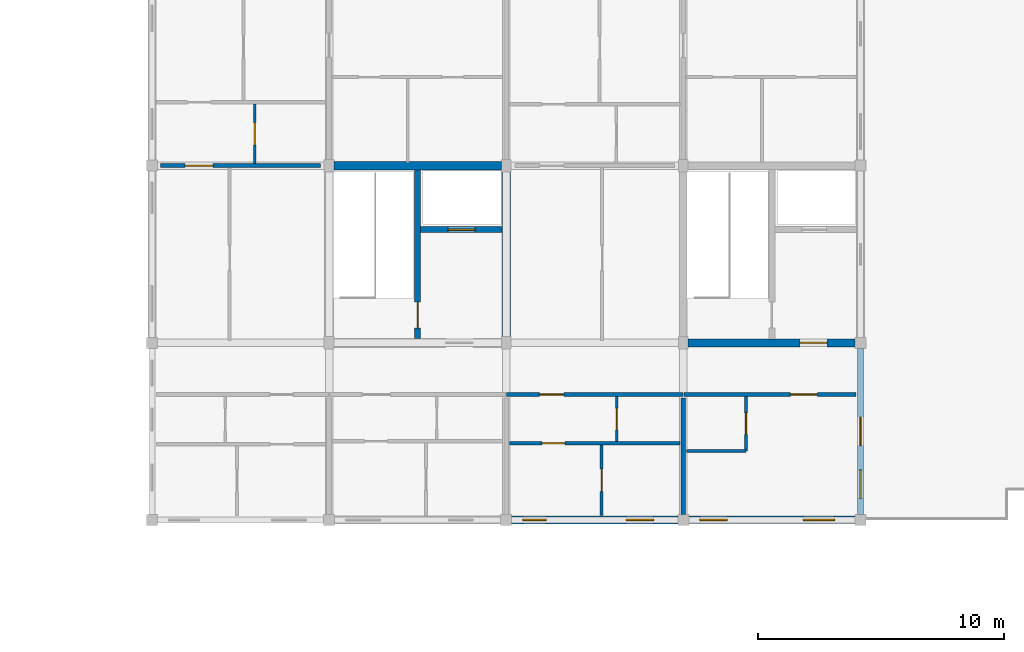
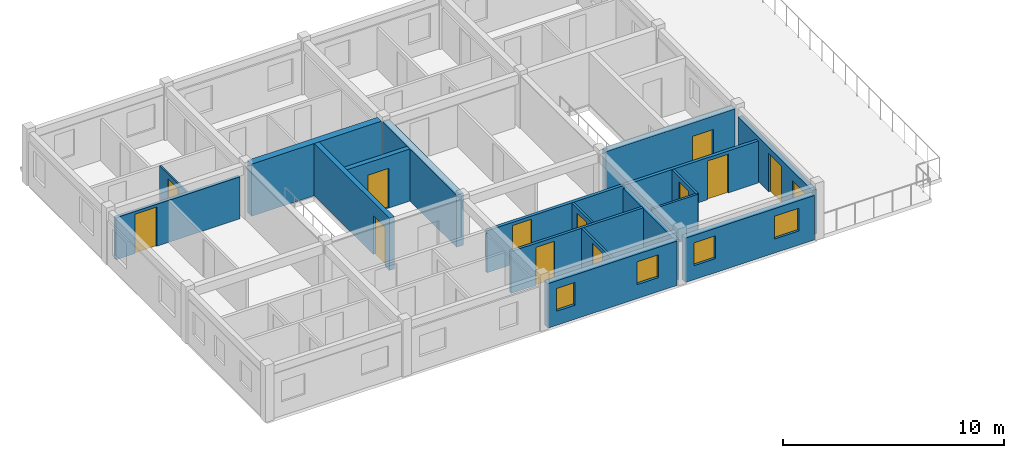
# One storey, part 18 of 23: 18 walls, 12 doors, 5 windows, 17 openings.
"""IFC4 building model written with IfcOpenShell, lengths in metres."""

import ifcopenshell
import ifcopenshell.guid

model = None  # the IFC model being written
_history = None  # IfcOwnerHistory: only IFC2X3 demands one
_inside = {}  # id of a spatial element -> (the spatial element, [elements in it])
_under = {}  # id of a project, library or spatial element -> (it, [spatial elements below it])
_declared = {}  # id of a project -> (the project, [libraries it declares])
_typed = {}  # id of a type object -> (the type object, [elements of that type])
_made_of = {}  # id of a material, layer set ... -> (it, [elements and type objects made of it])


def new_model(schema):
    """Start an empty IFC model of exactly this schema.

    Asked for "IFC4X3", IfcOpenShell would pick the latest addendum, in which some entities
    have other attributes; the version numbers below select the first issue.
    IFC2X3 requires an IfcOwnerHistory on every rooted entity: one is made here for all.
    """
    global model, _history
    if schema == "IFC4X3":
        model = ifcopenshell.file(schema_version=(4, 3, 0, 0))
    else:
        model = ifcopenshell.file(schema=schema)
    _inside.clear()
    _under.clear()
    _declared.clear()
    _typed.clear()
    _made_of.clear()
    _history = None
    if model.schema == "IFC2X3":
        org = make("IfcOrganization", Name="unknown")
        user = make(
            "IfcPersonAndOrganization",
            ThePerson=make("IfcPerson", FamilyName="unknown"),
            TheOrganization=org,
        )
        app = make(
            "IfcApplication",
            ApplicationDeveloper=org,
            Version="unknown",
            ApplicationFullName="unknown",
            ApplicationIdentifier="unknown",
        )
        _history = make(
            "IfcOwnerHistory",
            OwningUser=user,
            OwningApplication=app,
            ChangeAction="ADDED",
            CreationDate=0,
        )
    return model


def make(cls, **values):
    """One entity of the class cls with the attributes given. An attribute that is None is left unset."""
    return model.create_entity(
        cls, **{name: value for name, value in values.items() if value is not None}
    )


def rooted(cls, **values):
    """An entity with a GlobalId (a new one), such as an element, a storey or a relation."""
    return make(cls, GlobalId=ifcopenshell.guid.new(), OwnerHistory=_history, **values)


def si_unit(unit_type, name, prefix=None):
    """IfcSIUnit, for example si_unit("LENGTHUNIT", "METRE", prefix="MILLI")."""
    return make("IfcSIUnit", UnitType=unit_type, Prefix=prefix, Name=name)


def assignment(units):
    """IfcUnitAssignment: the units of a project."""
    return None if units is None else make("IfcUnitAssignment", Units=units)


def point(xyz):
    """IfcCartesianPoint."""
    return None if xyz is None else make("IfcCartesianPoint", Coordinates=xyz)


def direction(xyz):
    """IfcDirection."""
    return None if xyz is None else make("IfcDirection", DirectionRatios=xyz)


def frame(location, z_axis=None, x_axis=None):
    """IfcAxis2Placement3D, a coordinate frame: its origin and axes. An axis left out is left unset."""
    return make(
        "IfcAxis2Placement3D",
        Location=point(location),
        Axis=direction(z_axis),
        RefDirection=direction(x_axis),
    )


def frame_2d(location, x_axis=None):
    """IfcAxis2Placement2D, a coordinate frame in the plane: its origin and x axis."""
    return make(
        "IfcAxis2Placement2D", Location=point(location), RefDirection=direction(x_axis)
    )


def origin():
    """The frame at (0, 0, 0) with its axes left unset."""
    return frame((0.0, 0.0, 0.0))


def place(relative_to, where):
    """IfcLocalPlacement: puts the frame where relative to a parent placement (None: the world)."""
    return make(
        "IfcLocalPlacement", PlacementRelTo=relative_to, RelativePlacement=where
    )


def context(
    kind, dimensions, precision=None, world=None, true_north=None, identifier=None
):
    """IfcGeometricRepresentationContext, for example the 3D "Model" context."""
    return make(
        "IfcGeometricRepresentationContext",
        ContextIdentifier=identifier,
        ContextType=kind,
        CoordinateSpaceDimension=dimensions,
        Precision=precision,
        WorldCoordinateSystem=world,
        TrueNorth=true_north,
    )


def subcontext(parent, identifier, kind, view, scale=None):
    """IfcGeometricRepresentationSubContext, for example "Body" below "Model"."""
    return make(
        "IfcGeometricRepresentationSubContext",
        ContextIdentifier=identifier,
        ContextType=kind,
        ParentContext=parent,
        TargetScale=scale,
        TargetView=view,
    )


def project(units=None, contexts=None):
    """IfcProject with its units and contexts."""
    return rooted(
        "IfcProject",
        Name="project",
        RepresentationContexts=contexts,
        UnitsInContext=assignment(units),
    )


def spatial(cls, under=None, at=None, **own):
    """A site, building, storey or space (cls), placed at a placement, below another one or the project."""
    s = rooted(cls, ObjectPlacement=at, **own)
    if under is not None:
        _under.setdefault(under.id(), (under, []))[1].append(s)
    return s


def profile(cls, at=None, kind="AREA", **sizes):
    """A parametric profile (cls). Its sizes go by their IFC names, for example OverallWidth=200.0."""
    return make(cls, ProfileType=kind, Position=at, **sizes)


def rectangle(**sizes):
    """IfcRectangleProfileDef."""
    return profile("IfcRectangleProfileDef", **sizes)


def extrude(swept, where, along, depth):
    """IfcExtrudedAreaSolid: the profile swept, set in the frame where, extruded along a direction by depth."""
    return make(
        "IfcExtrudedAreaSolid",
        SweptArea=swept,
        Position=where,
        ExtrudedDirection=direction(along),
        Depth=depth,
    )


def shape(context_of_items, identifier, shape_type, items):
    """IfcShapeRepresentation: the items that make up one representation, for example the "Body"."""
    return make(
        "IfcShapeRepresentation",
        ContextOfItems=context_of_items,
        RepresentationIdentifier=identifier,
        RepresentationType=shape_type,
        Items=items,
    )


def material(Name=None, Category=None):
    """IfcMaterial."""
    return make("IfcMaterial", Name=Name, Category=Category)


def layer(
    of_material, thickness, ventilated=None, Name=None, Category=None, Priority=None
):
    """IfcMaterialLayer: one layer of a wall or slab, of a material (None: an air gap)."""
    return make(
        "IfcMaterialLayer",
        Material=of_material,
        LayerThickness=thickness,
        IsVentilated=ventilated,
        Name=Name,
        Category=Category,
        Priority=Priority,
    )


def layer_set(layers, Name=None):
    """IfcMaterialLayerSet."""
    return make("IfcMaterialLayerSet", MaterialLayers=layers, LayerSetName=Name)


def made_of(thing, what):
    """Note that an element or type object is made of a material, layer set ...; save() writes the relation."""
    if what is not None:
        _made_of.setdefault(what.id(), (what, []))[1].append(thing)
    return thing


def type_object(cls, material=None, **own):
    """A type object (cls), such as IfcWallType, which elements share."""
    return made_of(rooted(cls, **own), material)


def element(
    cls,
    number,
    at=None,
    inside=None,
    cuts=None,
    type_object=None,
    material=None,
    context=None,
    identifier="Body",
    shape_type=None,
    held_by="IfcProductDefinitionShape",
    body=None,
    shapes=None,
    **own,
):
    """One element of the class cls, such as IfcWall. Its Tag is "e" and its number.

    at: its placement. inside: the storey or other place that contains it. cuts: it is an
    opening in that element (IfcRelVoidsElement). A single representation is given by context,
    identifier, shape_type and body (its items); several are given by shapes. held_by: the class
    of the entity that holds the representations. save() writes the other relations.
    """
    e = rooted(cls, Tag="e%d" % number, ObjectPlacement=at, **own)
    if body is not None:
        shapes = [shape(context, identifier, shape_type, body)]
    if shapes is not None:
        e.Representation = make(held_by, Representations=shapes)
    if inside is not None:
        _inside.setdefault(inside.id(), (inside, []))[1].append(e)
    if cuts is not None:
        rooted(
            "IfcRelVoidsElement", RelatingBuildingElement=cuts, RelatedOpeningElement=e
        )
    if type_object is not None:
        _typed.setdefault(type_object.id(), (type_object, []))[1].append(e)
    return made_of(e, material)


def fill(opening, filler):
    """IfcRelFillsElement: the door or window that sits in an opening."""
    return rooted(
        "IfcRelFillsElement",
        RelatingOpeningElement=opening,
        RelatedBuildingElement=filler,
    )


def aggregate(whole, parts):
    """IfcRelAggregates: a whole, such as a stair, and the parts it consists of."""
    return rooted("IfcRelAggregates", RelatingObject=whole, RelatedObjects=parts)


def save(model, path):
    """Write the relations noted so far, then the file.

    IfcRelAggregates (storeys below a building ...), IfcRelContainedInSpatialStructure (elements
    in a storey), IfcRelDefinesByType, IfcRelAssociatesMaterial and IfcRelDeclares: one each for
    every whole, place, type object, material and project.
    """
    for whole, parts in _under.values():
        aggregate(whole, parts)
    for where, things in _inside.values():
        rooted(
            "IfcRelContainedInSpatialStructure",
            RelatedElements=things,
            RelatingStructure=where,
        )
    for kind, things in _typed.values():
        rooted("IfcRelDefinesByType", RelatedObjects=things, RelatingType=kind)
    for what, things in _made_of.values():
        rooted("IfcRelAssociatesMaterial", RelatedObjects=things, RelatingMaterial=what)
    for by, libraries in _declared.values():
        rooted("IfcRelDeclares", RelatingContext=by, RelatedDefinitions=libraries)
    model.write(path)


model = new_model("IFC4")

# Units and contexts
model_context = context("Model", 3, precision=1e-05, world=origin(), true_north=direction((0.0, 1.0)))
body_context = subcontext(model_context, "Body", "Model", "MODEL_VIEW")
ifc_project = project(units=[si_unit("LENGTHUNIT", "METRE"), si_unit("AREAUNIT", "SQUARE_METRE"), si_unit("VOLUMEUNIT", "CUBIC_METRE"), si_unit("PLANEANGLEUNIT", "RADIAN"), si_unit("MASSUNIT", "GRAM", prefix="KILO"), si_unit("THERMODYNAMICTEMPERATUREUNIT", "KELVIN"), si_unit("POWERUNIT", "WATT")], contexts=[model_context])

# Site, building, storey
site_placement = place(None, origin())
site = spatial("IfcSite", under=ifc_project, at=site_placement, CompositionType="ELEMENT")
building_placement = place(site_placement, origin())
building = spatial("IfcBuilding", under=site, at=building_placement, Name="Tavuni Mirador Residences", CompositionType="ELEMENT")
storey_placement = place(building_placement, frame((0.0, 0.0, 42.300048828125)))
storey = spatial("IfcBuildingStorey", under=building, at=storey_placement, Name="L13", CompositionType="ELEMENT", Elevation=42.300048828125)

# Wall, opening, door
ifc_material_1 = material(Name="Precast concrete C40/50", Category="concrete")
ifc_layer_1 = layer(ifc_material_1, 0.25, Name="Precast concrete C40/50", Category="concrete")
ifc_layer_set_1 = layer_set([ifc_layer_1], Name="Precast concrete C40/50")
wall_type_1 = type_object("IfcWallType", Name="WT-COR250", PredefinedType="SHEAR", material=ifc_layer_set_1)
wall_1_placement = place(storey_placement, frame((28.800048828125, 158.580078125, 0.0), z_axis=(0.0, 0.0, 1.0), x_axis=(0.0, 1.0, 0.0)))
wall_1 = element("IfcWall", 1, at=wall_1_placement, inside=storey, type_object=wall_type_1, Name="CWALL-C5-L13-MID", PredefinedType="SHEAR", context=body_context, shape_type="SweptSolid", body=[
    extrude(rectangle(XDim=6.83984375, YDim=0.25, at=frame_2d((3.419921875, 0.0))), origin(), (0.0, 0.0, 1.0), 2.889892578125),
])
opening_1_placement = place(wall_1_placement, frame((0.419921875, 0.0, 0.0)))
opening_1 = element("IfcOpeningElement", 2, at=opening_1_placement, cuts=wall_1, Name="Opening D-01", PredefinedType="OPENING", context=body_context, shape_type="SweptSolid", body=[
    extrude(rectangle(XDim=1.050048828125, YDim=2.14990234375, at=frame_2d((0.52490234375, 1.074951171875))), frame((0.0, 0.135009765625, 0.0), z_axis=(0.0, -1.0, 0.0), x_axis=(1.0, 0.0, 0.0)), (0.0, 0.0, 1.0), 0.27001953125),
])
ifc_material_2 = material(Name="Solid core iroko timber", Category="wood")
door_type_1 = type_object("IfcDoorType", Name="DT-ST1050", OperationType="NOTDEFINED", PredefinedType="DOOR", material=ifc_material_2)
door_1_placement = place(opening_1_placement, origin())
door_1 = element("IfcDoor", 3, at=door_1_placement, inside=storey, type_object=door_type_1, Name="DR-2214", OperationType="SINGLE_SWING_RIGHT", OverallHeight=2.14990234375, OverallWidth=1.050048828125, PredefinedType="DOOR", context=body_context, shape_type="SweptSolid", body=[
    extrude(rectangle(XDim=1.050048828125, YDim=2.14990234375, at=frame_2d((0.52490234375, 1.074951171875))), frame((0.0, 0.02490234375, 0.0), z_axis=(0.0, -1.0, 0.0), x_axis=(1.0, 0.0, 0.0)), (0.0, 0.0, 1.0), 0.050048828125),
])
fill(opening_1, door_1)

wall_2_placement = place(storey_placement, frame((28.925048828125, 163.0, 0.0), z_axis=(0.0, 0.0, 1.0), x_axis=(1.0, 0.0, 0.0)))
wall_2 = element("IfcWall", 4, at=wall_2_placement, inside=storey, type_object=wall_type_1, Name="CWALL-C5-L13-SHF", PredefinedType="SHEAR", context=body_context, shape_type="SweptSolid", body=[
    extrude(rectangle(XDim=3.294921875, YDim=0.25, at=frame_2d((1.6474609375, 0.0))), origin(), (0.0, 0.0, 1.0), 2.889892578125),
])
opening_2_placement = place(wall_2_placement, frame((1.10009765625, 0.0, 0.0)))
opening_2 = element("IfcOpeningElement", 5, at=opening_2_placement, cuts=wall_2, Name="Opening LD-01", PredefinedType="OPENING", context=body_context, shape_type="SweptSolid", body=[
    extrude(rectangle(XDim=1.10009765625, YDim=2.199951171875, at=frame_2d((0.550048828125, 1.10009765625))), frame((0.0, 0.135009765625, 0.0), z_axis=(0.0, -1.0, 0.0), x_axis=(1.0, 0.0, 0.0)), (0.0, 0.0, 1.0), 0.27001953125),
])
ifc_material_3 = material(Name="Structural steel S355", Category="steel")
door_type_2 = type_object("IfcDoorType", Name="DT-LD-FF", OperationType="SLIDING_TO_LEFT", PredefinedType="DOOR", material=ifc_material_3)
door_2_placement = place(opening_2_placement, origin())
door_2 = element("IfcDoor", 6, at=door_2_placement, inside=storey, type_object=door_type_2, Name="Lift landing door FL-C1 L13", OperationType="SLIDING_TO_LEFT", OverallHeight=2.199951171875, OverallWidth=1.10009765625, PredefinedType="DOOR", context=body_context, shape_type="SweptSolid", body=[
    extrude(rectangle(XDim=1.10009765625, YDim=2.199951171875, at=frame_2d((0.550048828125, 1.10009765625))), frame((0.0, 0.02490234375, 0.0), z_axis=(0.0, -1.0, 0.0), x_axis=(1.0, 0.0, 0.0)), (0.0, 0.0, 1.0), 0.050048828125),
])
fill(opening_2, door_2)

ifc_layer_2 = layer(ifc_material_1, 0.320068359375, Name="Precast concrete C40/50", Category="concrete")
ifc_layer_set_2 = layer_set([ifc_layer_2], Name="Precast concrete C40/50")
wall_type_2 = type_object("IfcWallType", Name="WT-COR320", PredefinedType="SHEAR", material=ifc_layer_set_2)
wall_3_placement = place(storey_placement, frame((39.800048828125, 158.39990234375, 0.0), z_axis=(0.0, 0.0, 1.0), x_axis=(1.0, 0.0, 0.0)))
wall_3 = element("IfcWall", 7, at=wall_3_placement, inside=storey, type_object=wall_type_2, Name="CWALL-C6-L13-SS", PredefinedType="SHEAR", context=body_context, shape_type="SweptSolid", body=[
    extrude(rectangle(XDim=6.77490234375, YDim=0.320068359375, at=frame_2d((3.387451171875, 0.0))), origin(), (0.0, 0.0, 1.0), 2.889892578125),
])
opening_3_placement = place(wall_3_placement, frame((4.550048828125, 0.0, 0.0)))
opening_3 = element("IfcOpeningElement", 8, at=opening_3_placement, cuts=wall_3, Name="Opening D-02", PredefinedType="OPENING", context=body_context, shape_type="SweptSolid", body=[
    extrude(rectangle(XDim=1.10009765625, YDim=2.14990234375, at=frame_2d((0.550048828125, 1.074951171875))), frame((0.0, 0.169921875, 0.0), z_axis=(0.0, -1.0, 0.0), x_axis=(1.0, 0.0, 0.0)), (0.0, 0.0, 1.0), 0.340087890625),
])
door_type_3 = type_object("IfcDoorType", Name="DT-LOB1100", OperationType="NOTDEFINED", PredefinedType="DOOR", material=ifc_material_2)
door_3_placement = place(opening_3_placement, frame((1.10009765625, 0.0, 0.0), z_axis=(0.0, 0.0, 1.0), x_axis=(-1.0, 0.0, 0.0)))
door_3 = element("IfcDoor", 9, at=door_3_placement, inside=storey, type_object=door_type_3, Name="DR-2258", OperationType="SINGLE_SWING_RIGHT", OverallHeight=2.14990234375, OverallWidth=1.10009765625, PredefinedType="DOOR", context=body_context, shape_type="SweptSolid", body=[
    extrude(rectangle(XDim=1.10009765625, YDim=2.14990234375, at=frame_2d((0.550048828125, 1.074951171875))), frame((0.0, 0.02490234375, 0.0), z_axis=(0.0, -1.0, 0.0), x_axis=(1.0, 0.0, 0.0)), (0.0, 0.0, 1.0), 0.050048828125),
])
fill(opening_3, door_3)

# Walls
ifc_layer_3 = layer(ifc_material_1, 0.360107421875, Name="Precast concrete C40/50", Category="concrete")
ifc_layer_set_3 = layer_set([ifc_layer_3], Name="Precast concrete C40/50")
wall_type_3 = type_object("IfcWallType", Name="WT-COR360", PredefinedType="SHEAR", material=ifc_layer_set_3)
wall_4_placement = place(storey_placement, frame((25.39990234375, 165.60009765625, 0.0), z_axis=(0.0, 0.0, 1.0), x_axis=(1.0, 0.0, 0.0)))
element("IfcWall", 10, at=wall_4_placement, inside=storey, type_object=wall_type_3, Name="CWALL-C5-L13-N", PredefinedType="SHEAR", context=body_context, shape_type="SweptSolid", body=[
    extrude(rectangle(XDim=6.800048828125, YDim=0.360107421875, at=frame_2d((3.39990234375, 0.0))), origin(), (0.0, 0.0, 1.0), 2.889892578125),
])
wall_5_placement = place(storey_placement, frame((32.39990234375, 158.64990234375, 0.0), z_axis=(0.0, 0.0, 1.0), x_axis=(0.0, 1.0, 0.0)))
element("IfcWall", 11, at=wall_5_placement, inside=storey, type_object=wall_type_3, Name="CWALL-C5-L13-E", PredefinedType="SHEAR", context=body_context, shape_type="SweptSolid", body=[
    extrude(rectangle(XDim=6.7001953125, YDim=0.360107421875, at=frame_2d((3.35009765625, 0.0))), origin(), (0.0, 0.0, 1.0), 2.889892578125),
])

# Wall, opening, door
ifc_layer_4 = layer(ifc_material_1, 0.1650390625, Name="Precast concrete C40/50", Category="concrete")
ifc_layer_set_4 = layer_set([ifc_layer_4], Name="Precast concrete C40/50")
wall_type_4 = type_object("IfcWallType", Name="WT-CORR165", PredefinedType="PARTITIONING", material=ifc_layer_set_4)
wall_6_placement = place(storey_placement, frame((32.419921875, 156.300048828125, 0.0), z_axis=(0.0, 0.0, 1.0), x_axis=(1.0, 0.0, 0.0)))
wall_6 = element("IfcWall", 12, at=wall_6_placement, inside=storey, type_object=wall_type_4, Name="CORW-BLK-C-L13-0-02", PredefinedType="PARTITIONING", context=body_context, shape_type="SweptSolid", body=[
    extrude(rectangle(XDim=7.16015625, YDim=0.1650390625, at=frame_2d((3.580078125, 0.0))), origin(), (0.0, 0.0, 1.0), 2.324951171875),
])
opening_4_placement = place(wall_6_placement, frame((1.330078125, 0.0, 0.0)))
opening_4 = element("IfcOpeningElement", 13, at=opening_4_placement, cuts=wall_6, Name="Opening D-03", PredefinedType="OPENING", context=body_context, shape_type="SweptSolid", body=[
    extrude(rectangle(XDim=1.0, YDim=2.14990234375, at=frame_2d((0.5, 1.074951171875))), frame((0.0, 0.092529296875, 0.0), z_axis=(0.0, -1.0, 0.0), x_axis=(1.0, 0.0, 0.0)), (0.0, 0.0, 1.0), 0.18505859375),
])
door_type_4 = type_object("IfcDoorType", Name="DT-FD60-1000", OperationType="NOTDEFINED", PredefinedType="DOOR", material=ifc_material_2)
door_4_placement = place(opening_4_placement, origin())
door_4 = element("IfcDoor", 14, at=door_4_placement, inside=storey, type_object=door_type_4, Name="DR-2793", OperationType="SINGLE_SWING_RIGHT", OverallHeight=2.14990234375, OverallWidth=1.0, PredefinedType="DOOR", context=body_context, shape_type="SweptSolid", body=[
    extrude(rectangle(XDim=1.0, YDim=2.14990234375, at=frame_2d((0.5, 1.074951171875))), frame((0.0, 0.02490234375, 0.0), z_axis=(0.0, -1.0, 0.0), x_axis=(1.0, 0.0, 0.0)), (0.0, 0.0, 1.0), 0.050048828125),
])
fill(opening_4, door_4)

wall_7_placement = place(storey_placement, frame((39.6201171875, 156.300048828125, 0.0), z_axis=(0.0, 0.0, 1.0), x_axis=(1.0, 0.0, 0.0)))
wall_7 = element("IfcWall", 15, at=wall_7_placement, inside=storey, type_object=wall_type_4, Name="CORW-BLK-C-L13-0-03", PredefinedType="PARTITIONING", context=body_context, shape_type="SweptSolid", body=[
    extrude(rectangle(XDim=7.0048828125, YDim=0.1650390625, at=frame_2d((3.50244140625, 0.0))), origin(), (0.0, 0.0, 1.0), 2.324951171875),
])
opening_5_placement = place(wall_7_placement, frame((4.330078125, 0.0, 0.0)))
opening_5 = element("IfcOpeningElement", 16, at=opening_5_placement, cuts=wall_7, Name="Opening D-02", PredefinedType="OPENING", context=body_context, shape_type="SweptSolid", body=[
    extrude(rectangle(XDim=1.10009765625, YDim=2.14990234375, at=frame_2d((0.550048828125, 1.074951171875))), frame((0.0, 0.092529296875, 0.0), z_axis=(0.0, -1.0, 0.0), x_axis=(1.0, 0.0, 0.0)), (0.0, 0.0, 1.0), 0.18505859375),
])
door_5_placement = place(opening_5_placement, origin())
door_5 = element("IfcDoor", 17, at=door_5_placement, inside=storey, type_object=door_type_3, Name="DR-2794", OperationType="SINGLE_SWING_LEFT", OverallHeight=2.14990234375, OverallWidth=1.10009765625, PredefinedType="DOOR", context=body_context, shape_type="SweptSolid", body=[
    extrude(rectangle(XDim=1.10009765625, YDim=2.14990234375, at=frame_2d((0.550048828125, 1.074951171875))), frame((0.0, 0.02490234375, 0.0), z_axis=(0.0, -1.0, 0.0), x_axis=(1.0, 0.0, 0.0)), (0.0, 0.0, 1.0), 0.050048828125),
])
fill(opening_5, door_5)

wall_8_placement = place(storey_placement, frame((18.35009765625, 165.60009765625, 0.0), z_axis=(0.0, 0.0, 1.0), x_axis=(1.0, 0.0, 0.0)))
wall_8 = element("IfcWall", 18, at=wall_8_placement, inside=storey, type_object=wall_type_4, Name="CORW-BLK-C-L13-1-00", PredefinedType="PARTITIONING", context=body_context, shape_type="SweptSolid", body=[
    extrude(rectangle(XDim=6.5, YDim=0.1650390625, at=frame_2d((3.25, 0.0))), origin(), (0.0, 0.0, 1.0), 2.324951171875),
])
opening_6_placement = place(wall_8_placement, frame((1.0, 0.0, 0.0)))
opening_6 = element("IfcOpeningElement", 19, at=opening_6_placement, cuts=wall_8, Name="Opening D-20", PredefinedType="OPENING", context=body_context, shape_type="SweptSolid", body=[
    extrude(rectangle(XDim=1.139892578125, YDim=2.179931640625, at=frame_2d((0.56982421875, 1.08984375))), frame((0.0, 0.092529296875, 0.0), z_axis=(0.0, -1.0, 0.0), x_axis=(1.0, 0.0, 0.0)), (0.0, 0.0, 1.0), 0.18505859375),
])
door_type_5 = type_object("IfcDoorType", Name="DT-FD60-1140", OperationType="NOTDEFINED", PredefinedType="DOOR", material=ifc_material_2)
door_6_placement = place(opening_6_placement, origin())
door_6 = element("IfcDoor", 20, at=door_6_placement, inside=storey, type_object=door_type_5, Name="DR-2795", OperationType="SINGLE_SWING_RIGHT", OverallHeight=2.179931640625, OverallWidth=1.139892578125, PredefinedType="DOOR", context=body_context, shape_type="SweptSolid", body=[
    extrude(rectangle(XDim=1.139892578125, YDim=2.179931640625, at=frame_2d((0.56982421875, 1.08984375))), frame((0.0, 0.02490234375, 0.0), z_axis=(0.0, -1.0, 0.0), x_axis=(1.0, 0.0, 0.0)), (0.0, 0.0, 1.0), 0.050048828125),
])
fill(opening_6, door_6)

# Wall, openings, door, window
ifc_material_4 = material(Name="Sgraffito lime-rendered precast concrete C40/50", Category="concrete")
ifc_layer_5 = layer(ifc_material_4, 0.2451171875, Name="Sgraffito lime-rendered precast concrete C40/50", Category="concrete")
ifc_layer_set_5 = layer_set([ifc_layer_5], Name="Sgraffito lime-rendered precast concrete C40/50")
wall_type_5 = type_object("IfcWallType", Name="WT-EXT-PC245", PredefinedType="SOLIDWALL", material=ifc_layer_set_5)
wall_9_placement = place(storey_placement, frame((46.800048828125, 151.425048828125, 0.0), z_axis=(0.0, 0.0, 1.0), x_axis=(0.0, 1.0, 0.0)))
wall_9 = element("IfcWall", 21, at=wall_9_placement, inside=storey, type_object=wall_type_5, Name="EW-BLK-C-L13-E00", PredefinedType="SOLIDWALL", context=body_context, shape_type="SweptSolid", body=[
    extrude(rectangle(XDim=6.75, YDim=0.2451171875, at=frame_2d((3.375, 0.0))), origin(), (0.0, 0.0, 1.0), 2.4599609375),
])
opening_7_placement = place(wall_9_placement, frame((2.800048828125, 0.0, 0.0)))
opening_7 = element("IfcOpeningElement", 22, at=opening_7_placement, cuts=wall_9, Name="Opening TD-01", PredefinedType="OPENING", context=body_context, shape_type="SweptSolid", body=[
    extrude(rectangle(XDim=1.14990234375, YDim=2.1201171875, at=frame_2d((0.574951171875, 1.06005859375))), frame((0.0, 0.132568359375, 0.0), z_axis=(0.0, -1.0, 0.0), x_axis=(1.0, 0.0, 0.0)), (0.0, 0.0, 1.0), 0.26513671875),
])
opening_8_placement = place(wall_9_placement, frame((0.64990234375, 0.0, 0.780029296875)))
opening_8 = element("IfcOpeningElement", 23, at=opening_8_placement, cuts=wall_9, Name="Opening WN-05", PredefinedType="OPENING", context=body_context, shape_type="SweptSolid", body=[
    extrude(rectangle(XDim=1.159912109375, YDim=1.14990234375, at=frame_2d((0.580078125, 0.574951171875))), frame((0.0, 0.132568359375, 0.0), z_axis=(0.0, -1.0, 0.0), x_axis=(1.0, 0.0, 0.0)), (0.0, 0.0, 1.0), 0.26513671875),
])
ifc_material_5 = material(Name="Anodised aluminium", Category="aluminium")
door_type_6 = type_object("IfcDoorType", Name="DT-TER1150", OperationType="NOTDEFINED", PredefinedType="DOOR", material=ifc_material_5)
door_7_placement = place(opening_7_placement, frame((1.14990234375, 0.0, 0.0), z_axis=(0.0, 0.0, 1.0), x_axis=(-1.0, 0.0, 0.0)))
door_7 = element("IfcDoor", 24, at=door_7_placement, inside=storey, type_object=door_type_6, Name="DR-0015", OperationType="SINGLE_SWING_RIGHT", OverallHeight=2.1201171875, OverallWidth=1.14990234375, PredefinedType="DOOR", context=body_context, shape_type="SweptSolid", body=[
    extrude(rectangle(XDim=1.14990234375, YDim=2.1201171875, at=frame_2d((0.574951171875, 1.06005859375))), frame((0.0, 0.02490234375, 0.0), z_axis=(0.0, -1.0, 0.0), x_axis=(1.0, 0.0, 0.0)), (0.0, 0.0, 1.0), 0.050048828125),
])
fill(opening_7, door_7)
ifc_material_6 = material(Name="Laminated solar-control glass", Category="glass")
window_type_1 = type_object("IfcWindowType", Name="WNT-05", PartitioningType="SINGLE_PANEL", PredefinedType="WINDOW", material=ifc_material_6)
window_1_placement = place(opening_8_placement, origin())
window_1 = element("IfcWindow", 25, at=window_1_placement, inside=storey, type_object=window_type_1, Name="WIN-1380", OverallHeight=1.14990234375, OverallWidth=1.159912109375, PartitioningType="SINGLE_PANEL", PredefinedType="WINDOW", context=body_context, shape_type="SweptSolid", body=[
    extrude(rectangle(XDim=1.159912109375, YDim=1.14990234375, at=frame_2d((0.580078125, 0.574951171875))), frame((0.0, 0.030029296875, 0.0), z_axis=(0.0, -1.0, 0.0), x_axis=(1.0, 0.0, 0.0)), (0.0, 0.0, 1.0), 0.06005859375),
])
fill(opening_8, window_1)

# Wall, openings, windows
ifc_layer_6 = layer(ifc_material_4, 0.304931640625, Name="Sgraffito lime-rendered precast concrete C40/50", Category="concrete")
ifc_layer_set_6 = layer_set([ifc_layer_6], Name="Sgraffito lime-rendered precast concrete C40/50")
wall_type_6 = type_object("IfcWallType", Name="WT-EXT-PC305", PredefinedType="SOLIDWALL", material=ifc_layer_set_6)
wall_10_placement = place(storey_placement, frame((39.824951171875, 151.199951171875, 0.0), z_axis=(0.0, 0.0, 1.0), x_axis=(1.0, 0.0, 0.0)))
wall_10 = element("IfcWall", 26, at=wall_10_placement, inside=storey, type_object=wall_type_6, Name="EW-BLK-C-L13-S03", PredefinedType="SOLIDWALL", context=body_context, shape_type="SweptSolid", body=[
    extrude(rectangle(XDim=6.75, YDim=0.304931640625, at=frame_2d((3.375, 0.0))), origin(), (0.0, 0.0, 1.0), 2.4599609375),
])
opening_9_placement = place(wall_10_placement, frame((0.449951171875, 0.0, 0.780029296875)))
opening_9 = element("IfcOpeningElement", 27, at=opening_9_placement, cuts=wall_10, Name="Opening WN-12", PredefinedType="OPENING", context=body_context, shape_type="SweptSolid", body=[
    extrude(rectangle(XDim=1.1201171875, YDim=1.260009765625, at=frame_2d((0.56005859375, 0.6298828125))), frame((0.0, 0.16259765625, 0.0), z_axis=(0.0, -1.0, 0.0), x_axis=(1.0, 0.0, 0.0)), (0.0, 0.0, 1.0), 0.324951171875),
])
opening_10_placement = place(wall_10_placement, frame((4.64990234375, 0.0, 0.780029296875)))
opening_10 = element("IfcOpeningElement", 28, at=opening_10_placement, cuts=wall_10, Name="Opening WN-14", PredefinedType="OPENING", context=body_context, shape_type="SweptSolid", body=[
    extrude(rectangle(XDim=1.280029296875, YDim=1.260009765625, at=frame_2d((0.64013671875, 0.6298828125))), frame((0.0, 0.16259765625, 0.0), z_axis=(0.0, -1.0, 0.0), x_axis=(1.0, 0.0, 0.0)), (0.0, 0.0, 1.0), 0.324951171875),
])
window_type_2 = type_object("IfcWindowType", Name="WNT-12", PartitioningType="SINGLE_PANEL", PredefinedType="WINDOW", material=ifc_material_6)
window_2_placement = place(opening_9_placement, origin())
window_2 = element("IfcWindow", 29, at=window_2_placement, inside=storey, type_object=window_type_2, Name="WIN-1378", OverallHeight=1.260009765625, OverallWidth=1.1201171875, PartitioningType="SINGLE_PANEL", PredefinedType="WINDOW", context=body_context, shape_type="SweptSolid", body=[
    extrude(rectangle(XDim=1.1201171875, YDim=1.260009765625, at=frame_2d((0.56005859375, 0.6298828125))), frame((0.0, 0.030029296875, 0.0), z_axis=(0.0, -1.0, 0.0), x_axis=(1.0, 0.0, 0.0)), (0.0, 0.0, 1.0), 0.06005859375),
])
fill(opening_9, window_2)
window_type_3 = type_object("IfcWindowType", Name="WNT-14", PartitioningType="SINGLE_PANEL", PredefinedType="WINDOW", material=ifc_material_6)
window_3_placement = place(opening_10_placement, origin())
window_3 = element("IfcWindow", 30, at=window_3_placement, inside=storey, type_object=window_type_3, Name="WIN-1379", OverallHeight=1.260009765625, OverallWidth=1.280029296875, PartitioningType="SINGLE_PANEL", PredefinedType="WINDOW", context=body_context, shape_type="SweptSolid", body=[
    extrude(rectangle(XDim=1.280029296875, YDim=1.260009765625, at=frame_2d((0.64013671875, 0.6298828125))), frame((0.0, 0.030029296875, 0.0), z_axis=(0.0, -1.0, 0.0), x_axis=(1.0, 0.0, 0.0)), (0.0, 0.0, 1.0), 0.06005859375),
])
fill(opening_10, window_3)

ifc_layer_7 = layer(ifc_material_4, 0.31494140625, Name="Sgraffito lime-rendered precast concrete C40/50", Category="concrete")
ifc_layer_set_7 = layer_set([ifc_layer_7], Name="Sgraffito lime-rendered precast concrete C40/50")
wall_type_7 = type_object("IfcWallType", Name="WT-EXT-PC315", PredefinedType="SOLIDWALL", material=ifc_layer_set_7)
wall_11_placement = place(storey_placement, frame((32.625, 151.199951171875, 0.0), z_axis=(0.0, 0.0, 1.0), x_axis=(1.0, 0.0, 0.0)))
wall_11 = element("IfcWall", 31, at=wall_11_placement, inside=storey, type_object=wall_type_7, Name="EW-BLK-C-L13-S02", PredefinedType="SOLIDWALL", context=body_context, shape_type="SweptSolid", body=[
    extrude(rectangle(XDim=6.75, YDim=0.31494140625, at=frame_2d((3.375, 0.0))), origin(), (0.0, 0.0, 1.0), 2.4599609375),
])
opening_11_placement = place(wall_11_placement, frame((0.449951171875, 0.0, 0.780029296875)))
opening_11 = element("IfcOpeningElement", 32, at=opening_11_placement, cuts=wall_11, Name="Opening WN-10", PredefinedType="OPENING", context=body_context, shape_type="SweptSolid", body=[
    extrude(rectangle(XDim=0.9599609375, YDim=1.260009765625, at=frame_2d((0.47998046875, 0.6298828125))), frame((0.0, 0.16748046875, 0.0), z_axis=(0.0, -1.0, 0.0), x_axis=(1.0, 0.0, 0.0)), (0.0, 0.0, 1.0), 0.3349609375),
])
opening_12_placement = place(wall_11_placement, frame((4.64990234375, 0.0, 0.780029296875)))
opening_12 = element("IfcOpeningElement", 33, at=opening_12_placement, cuts=wall_11, Name="Opening WN-12", PredefinedType="OPENING", context=body_context, shape_type="SweptSolid", body=[
    extrude(rectangle(XDim=1.1201171875, YDim=1.260009765625, at=frame_2d((0.56005859375, 0.6298828125))), frame((0.0, 0.16748046875, 0.0), z_axis=(0.0, -1.0, 0.0), x_axis=(1.0, 0.0, 0.0)), (0.0, 0.0, 1.0), 0.3349609375),
])
window_type_4 = type_object("IfcWindowType", Name="WNT-10", PartitioningType="SINGLE_PANEL", PredefinedType="WINDOW", material=ifc_material_6)
window_4_placement = place(opening_11_placement, origin())
window_4 = element("IfcWindow", 34, at=window_4_placement, inside=storey, type_object=window_type_4, Name="WIN-1376", OverallHeight=1.260009765625, OverallWidth=0.9599609375, PartitioningType="SINGLE_PANEL", PredefinedType="WINDOW", context=body_context, shape_type="SweptSolid", body=[
    extrude(rectangle(XDim=0.9599609375, YDim=1.260009765625, at=frame_2d((0.47998046875, 0.6298828125))), frame((0.0, 0.030029296875, 0.0), z_axis=(0.0, -1.0, 0.0), x_axis=(1.0, 0.0, 0.0)), (0.0, 0.0, 1.0), 0.06005859375),
])
fill(opening_11, window_4)
window_5_placement = place(opening_12_placement, origin())
window_5 = element("IfcWindow", 35, at=window_5_placement, inside=storey, type_object=window_type_2, Name="WIN-1377", OverallHeight=1.260009765625, OverallWidth=1.1201171875, PartitioningType="SINGLE_PANEL", PredefinedType="WINDOW", context=body_context, shape_type="SweptSolid", body=[
    extrude(rectangle(XDim=1.1201171875, YDim=1.260009765625, at=frame_2d((0.56005859375, 0.6298828125))), frame((0.0, 0.030029296875, 0.0), z_axis=(0.0, -1.0, 0.0), x_axis=(1.0, 0.0, 0.0)), (0.0, 0.0, 1.0), 0.06005859375),
])
fill(opening_12, window_5)

# Wall, opening, door
ifc_material_7 = material(Name="Acoustic gypsum and concrete block partition", Category="concrete")
ifc_layer_8 = layer(ifc_material_7, 0.094970703125, Name="Acoustic gypsum and concrete block partition", Category="concrete")
ifc_layer_set_8 = layer_set([ifc_layer_8], Name="Acoustic gypsum and concrete block partition")
wall_type_8 = type_object("IfcWallType", Name="WT-PART095", PredefinedType="PARTITIONING", material=ifc_layer_set_8)
wall_12_placement = place(storey_placement, frame((22.179931640625, 165.68994140625, 0.0), z_axis=(0.0, 0.0, 1.0), x_axis=(0.0, 1.0, 0.0)))
wall_12 = element("IfcWall", 36, at=wall_12_placement, inside=storey, type_object=wall_type_8, Name="PW-BLK-C-L13-N00-IN1", PredefinedType="PARTITIONING", context=body_context, shape_type="SweptSolid", body=[
    extrude(rectangle(XDim=2.420166015625, YDim=0.094970703125, at=frame_2d((1.2099609375, 0.0))), origin(), (0.0, 0.0, 1.0), 2.324951171875),
])
opening_13_placement = place(wall_12_placement, frame((0.760009765625, 0.0, 0.0)))
opening_13 = element("IfcOpeningElement", 37, at=opening_13_placement, cuts=wall_12, Name="Opening D-09", PredefinedType="OPENING", context=body_context, shape_type="SweptSolid", body=[
    extrude(rectangle(XDim=0.89990234375, YDim=2.050048828125, at=frame_2d((0.449951171875, 1.02490234375))), frame((0.0, 0.0576171875, 0.0), z_axis=(0.0, -1.0, 0.0), x_axis=(1.0, 0.0, 0.0)), (0.0, 0.0, 1.0), 0.114990234375),
])
door_type_7 = type_object("IfcDoorType", Name="DT-WC900", OperationType="NOTDEFINED", PredefinedType="DOOR", material=ifc_material_2)
door_8_placement = place(opening_13_placement, origin())
door_8 = element("IfcDoor", 38, at=door_8_placement, inside=storey, type_object=door_type_7, Name="DR-4263", OperationType="SINGLE_SWING_LEFT", OverallHeight=2.050048828125, OverallWidth=0.89990234375, PredefinedType="DOOR", context=body_context, shape_type="SweptSolid", body=[
    extrude(rectangle(XDim=0.89990234375, YDim=2.050048828125, at=frame_2d((0.449951171875, 1.02490234375))), frame((0.0, 0.02490234375, 0.0), z_axis=(0.0, -1.0, 0.0), x_axis=(1.0, 0.0, 0.0)), (0.0, 0.0, 1.0), 0.050048828125),
])
fill(opening_13, door_8)

ifc_layer_9 = layer(ifc_material_7, 0.10498046875, Name="Acoustic gypsum and concrete block partition", Category="concrete")
ifc_layer_set_9 = layer_set([ifc_layer_9], Name="Acoustic gypsum and concrete block partition")
wall_type_9 = type_object("IfcWallType", Name="WT-PART105", PredefinedType="PARTITIONING", material=ifc_layer_set_9)
wall_13_placement = place(storey_placement, frame((36.89990234375, 154.389892578125, 0.0), z_axis=(0.0, 0.0, 1.0), x_axis=(0.0, 1.0, 0.0)))
wall_13 = element("IfcWall", 39, at=wall_13_placement, inside=storey, type_object=wall_type_9, Name="PW-BLK-C-L13-S02-IN1", PredefinedType="PARTITIONING", context=body_context, shape_type="SweptSolid", body=[
    extrude(rectangle(XDim=1.820068359375, YDim=0.10498046875, at=frame_2d((0.91015625, 0.0))), origin(), (0.0, 0.0, 1.0), 2.324951171875),
])
opening_14_placement = place(wall_13_placement, frame((0.47509765625, 0.0, 0.0)))
opening_14 = element("IfcOpeningElement", 40, at=opening_14_placement, cuts=wall_13, Name="Opening D-10", PredefinedType="OPENING", context=body_context, shape_type="SweptSolid", body=[
    extrude(rectangle(XDim=0.8701171875, YDim=2.050048828125, at=frame_2d((0.43505859375, 1.02490234375))), frame((0.0, 0.0625, 0.0), z_axis=(0.0, -1.0, 0.0), x_axis=(1.0, 0.0, 0.0)), (0.0, 0.0, 1.0), 0.125),
])
door_type_8 = type_object("IfcDoorType", Name="DT-WC870", OperationType="NOTDEFINED", PredefinedType="DOOR", material=ifc_material_2)
door_9_placement = place(opening_14_placement, origin())
door_9 = element("IfcDoor", 41, at=door_9_placement, inside=storey, type_object=door_type_8, Name="DR-4272", OperationType="SINGLE_SWING_LEFT", OverallHeight=2.050048828125, OverallWidth=0.8701171875, PredefinedType="DOOR", context=body_context, shape_type="SweptSolid", body=[
    extrude(rectangle(XDim=0.8701171875, YDim=2.050048828125, at=frame_2d((0.43505859375, 1.02490234375))), frame((0.0, 0.02490234375, 0.0), z_axis=(0.0, -1.0, 0.0), x_axis=(1.0, 0.0, 0.0)), (0.0, 0.0, 1.0), 0.050048828125),
])
fill(opening_14, door_9)

ifc_layer_10 = layer(ifc_material_7, 0.114990234375, Name="Acoustic gypsum and concrete block partition", Category="concrete")
ifc_layer_set_10 = layer_set([ifc_layer_10], Name="Acoustic gypsum and concrete block partition")
wall_type_10 = type_object("IfcWallType", Name="WT-PART115", PredefinedType="PARTITIONING", material=ifc_layer_set_10)
wall_14_placement = place(storey_placement, frame((36.280029296875, 151.375, 0.0), z_axis=(0.0, 0.0, 1.0), x_axis=(0.0, 1.0, 0.0)))
wall_14 = element("IfcWall", 42, at=wall_14_placement, inside=storey, type_object=wall_type_10, Name="PW-BLK-C-L13-S02-OUT", PredefinedType="PARTITIONING", context=body_context, shape_type="SweptSolid", body=[
    extrude(rectangle(XDim=2.875, YDim=0.114990234375, at=frame_2d((1.4375, 0.0))), origin(), (0.0, 0.0, 1.0), 2.324951171875),
])
opening_15_placement = place(wall_14_placement, frame((0.987548828125, 0.0, 0.0)))
opening_15 = element("IfcOpeningElement", 43, at=opening_15_placement, cuts=wall_14, Name="Opening D-07", PredefinedType="OPENING", context=body_context, shape_type="SweptSolid", body=[
    extrude(rectangle(XDim=0.89990234375, YDim=2.10009765625, at=frame_2d((0.449951171875, 1.050048828125))), frame((0.0, 0.0673828125, 0.0), z_axis=(0.0, -1.0, 0.0), x_axis=(1.0, 0.0, 0.0)), (0.0, 0.0, 1.0), 0.135009765625),
])
door_type_9 = type_object("IfcDoorType", Name="DT-BED900", OperationType="NOTDEFINED", PredefinedType="DOOR", material=ifc_material_2)
door_10_placement = place(opening_15_placement, origin())
door_10 = element("IfcDoor", 44, at=door_10_placement, inside=storey, type_object=door_type_9, Name="DR-4271", OperationType="SINGLE_SWING_RIGHT", OverallHeight=2.10009765625, OverallWidth=0.89990234375, PredefinedType="DOOR", context=body_context, shape_type="SweptSolid", body=[
    extrude(rectangle(XDim=0.89990234375, YDim=2.10009765625, at=frame_2d((0.449951171875, 1.050048828125))), frame((0.0, 0.02490234375, 0.0), z_axis=(0.0, -1.0, 0.0), x_axis=(1.0, 0.0, 0.0)), (0.0, 0.0, 1.0), 0.050048828125),
])
fill(opening_15, door_10)

# Wall
wall_15_placement = place(storey_placement, frame((39.739990234375, 154.0, 0.0), z_axis=(0.0, 0.0, 1.0), x_axis=(1.0, 0.0, 0.0)))
element("IfcWall", 45, at=wall_15_placement, inside=storey, type_object=wall_type_10, Name="PW-BLK-C-L13-S03-1", PredefinedType="PARTITIONING", context=body_context, shape_type="SweptSolid", body=[
    extrude(rectangle(XDim=2.409912109375, YDim=0.114990234375, at=frame_2d((1.205078125, 0.0))), origin(), (0.0, 0.0, 1.0), 2.324951171875),
])

# Wall, opening, door
ifc_layer_11 = layer(ifc_material_7, 0.125, Name="Acoustic gypsum and concrete block partition", Category="concrete")
ifc_layer_set_11 = layer_set([ifc_layer_11], Name="Acoustic gypsum and concrete block partition")
wall_type_11 = type_object("IfcWallType", Name="WT-PART125", PredefinedType="PARTITIONING", material=ifc_layer_set_11)
wall_16_placement = place(storey_placement, frame((42.14990234375, 154.0, 0.0), z_axis=(0.0, 0.0, 1.0), x_axis=(0.0, 1.0, 0.0)))
wall_16 = element("IfcWall", 46, at=wall_16_placement, inside=storey, type_object=wall_type_11, Name="PW-BLK-C-L13-S03-2", PredefinedType="PARTITIONING", context=body_context, shape_type="SweptSolid", body=[
    extrude(rectangle(XDim=2.2099609375, YDim=0.125, at=frame_2d((1.10498046875, 0.0))), origin(), (0.0, 0.0, 1.0), 2.324951171875),
])
opening_16_placement = place(wall_16_placement, frame((0.679931640625, 0.0, 0.0)))
opening_16 = element("IfcOpeningElement", 47, at=opening_16_placement, cuts=wall_16, Name="Opening D-10", PredefinedType="OPENING", context=body_context, shape_type="SweptSolid", body=[
    extrude(rectangle(XDim=0.8701171875, YDim=2.050048828125, at=frame_2d((0.43505859375, 1.02490234375))), frame((0.0, 0.072509765625, 0.0), z_axis=(0.0, -1.0, 0.0), x_axis=(1.0, 0.0, 0.0)), (0.0, 0.0, 1.0), 0.14501953125),
])
door_11_placement = place(opening_16_placement, origin())
door_11 = element("IfcDoor", 48, at=door_11_placement, inside=storey, type_object=door_type_8, Name="DR-4277", OperationType="SINGLE_SWING_RIGHT", OverallHeight=2.050048828125, OverallWidth=0.8701171875, PredefinedType="DOOR", context=body_context, shape_type="SweptSolid", body=[
    extrude(rectangle(XDim=0.8701171875, YDim=2.050048828125, at=frame_2d((0.43505859375, 1.02490234375))), frame((0.0, 0.02490234375, 0.0), z_axis=(0.0, -1.0, 0.0), x_axis=(1.0, 0.0, 0.0)), (0.0, 0.0, 1.0), 0.050048828125),
])
fill(opening_16, door_11)

ifc_layer_12 = layer(ifc_material_7, 0.139892578125, Name="Acoustic gypsum and concrete block partition", Category="concrete")
ifc_layer_set_12 = layer_set([ifc_layer_12], Name="Acoustic gypsum and concrete block partition")
wall_type_12 = type_object("IfcWallType", Name="WT-PART140", PredefinedType="PARTITIONING", material=ifc_layer_set_12)
wall_17_placement = place(storey_placement, frame((32.5400390625, 154.320068359375, 0.0), z_axis=(0.0, 0.0, 1.0), x_axis=(1.0, 0.0, 0.0)))
wall_17 = element("IfcWall", 49, at=wall_17_placement, inside=storey, type_object=wall_type_12, Name="PW-BLK-C-L13-S02-MID", PredefinedType="PARTITIONING", context=body_context, shape_type="SweptSolid", body=[
    extrude(rectangle(XDim=6.919921875, YDim=0.139892578125, at=frame_2d((3.4599609375, 0.0))), origin(), (0.0, 0.0, 1.0), 2.324951171875),
])
opening_17_placement = place(wall_17_placement, frame((1.31005859375, 0.0, 0.0)))
opening_17 = element("IfcOpeningElement", 50, at=opening_17_placement, cuts=wall_17, Name="Opening D-05", PredefinedType="OPENING", context=body_context, shape_type="SweptSolid", body=[
    extrude(rectangle(XDim=0.949951171875, YDim=2.10009765625, at=frame_2d((0.47509765625, 1.050048828125))), frame((0.0, 0.080078125, 0.0), z_axis=(0.0, -1.0, 0.0), x_axis=(1.0, 0.0, 0.0)), (0.0, 0.0, 1.0), 0.159912109375),
])
door_type_10 = type_object("IfcDoorType", Name="DT-INT950", OperationType="NOTDEFINED", PredefinedType="DOOR", material=ifc_material_2)
door_12_placement = place(opening_17_placement, origin())
door_12 = element("IfcDoor", 51, at=door_12_placement, inside=storey, type_object=door_type_10, Name="DR-4273", OperationType="SINGLE_SWING_LEFT", OverallHeight=2.10009765625, OverallWidth=0.949951171875, PredefinedType="DOOR", context=body_context, shape_type="SweptSolid", body=[
    extrude(rectangle(XDim=0.949951171875, YDim=2.10009765625, at=frame_2d((0.47509765625, 1.050048828125))), frame((0.0, 0.02490234375, 0.0), z_axis=(0.0, -1.0, 0.0), x_axis=(1.0, 0.0, 0.0)), (0.0, 0.0, 1.0), 0.050048828125),
])
fill(opening_17, door_12)

# Wall
ifc_layer_13 = layer(ifc_material_1, 0.195068359375, Name="Precast concrete C40/50", Category="concrete")
ifc_layer_set_13 = layer_set([ifc_layer_13], Name="Precast concrete C40/50")
wall_type_13 = type_object("IfcWallType", Name="WT-XW195", PredefinedType="SOLIDWALL", material=ifc_layer_set_13)
wall_18_placement = place(storey_placement, frame((39.60009765625, 151.425048828125, 0.0), z_axis=(0.0, 0.0, 1.0), x_axis=(0.0, 1.0, 0.0)))
element("IfcWall", 52, at=wall_18_placement, inside=storey, type_object=wall_type_13, Name="XW-BLK-C-L13-S-03", PredefinedType="SOLIDWALL", context=body_context, shape_type="SweptSolid", body=[
    extrude(rectangle(XDim=4.724853515625, YDim=0.195068359375, at=frame_2d((2.3623046875, 0.0))), origin(), (0.0, 0.0, 1.0), 2.219970703125),
])

save(model, "model.ifc")
